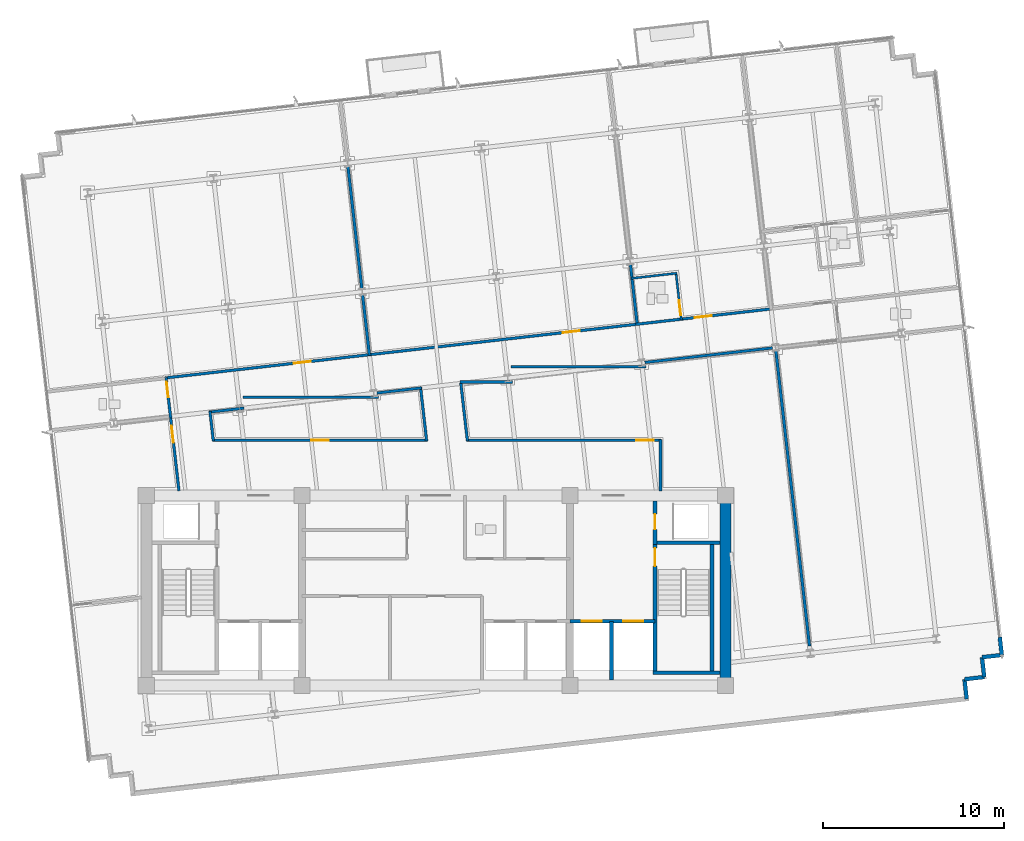
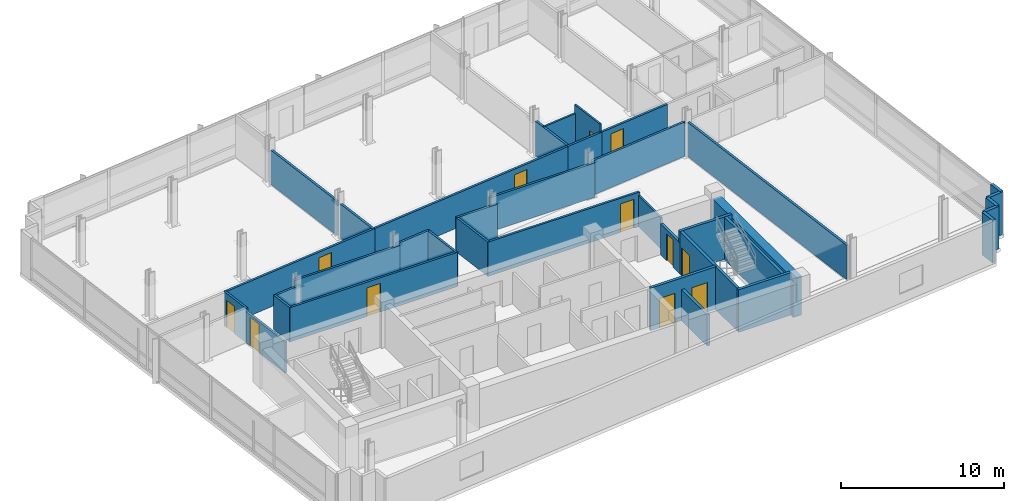
# One storey, part 9 of 16: 37 walls, 12 doors, 12 openings.
"""IFC4 building model written with IfcOpenShell, lengths in metres."""

from ifc_helpers import new_model, si_unit, direction, frame, frame_2d, origin, place, context, subcontext, project, spatial, rectangle, extrude, material, layer, layer_set, type_object, element, fill, save


model = new_model("IFC4")

# Units and contexts
model_context = context("Model", 3, precision=1e-05, world=origin(), true_north=direction((0.0, 1.0)))
body_context = subcontext(model_context, "Body", "Model", "MODEL_VIEW")
ifc_project = project(units=[si_unit("LENGTHUNIT", "METRE"), si_unit("AREAUNIT", "SQUARE_METRE"), si_unit("VOLUMEUNIT", "CUBIC_METRE"), si_unit("PLANEANGLEUNIT", "RADIAN"), si_unit("MASSUNIT", "GRAM", prefix="KILO")], contexts=[model_context])

# Site, building, storey
site_placement = place(None, origin())
site = spatial("IfcSite", under=ifc_project, at=site_placement, CompositionType="ELEMENT")
building_placement = place(site_placement, origin())
building = spatial("IfcBuilding", under=site, at=building_placement, Name="Solmavex Isthmus Hotel", CompositionType="ELEMENT")
storey_placement = place(building_placement, frame((0.0, 0.0, 233.10009765625)))
storey = spatial("IfcBuildingStorey", under=building, at=storey_placement, Name="L63", CompositionType="ELEMENT", Elevation=233.10009765625)

# Walls
ifc_material_1 = material(Name="Precast Concrete C40/50", Category="concrete")
ifc_layer_1 = layer(ifc_material_1, 0.25)
ifc_layer_set_1 = layer_set([ifc_layer_1], Name="Precast Concrete C40/50")
wall_type_1 = type_object("IfcWallType", Name="EW-TWR-250", PredefinedType="STANDARD", material=ifc_layer_set_1)
wall_1_placement = place(storey_placement, frame((31.1474609375, -10.328125, 0.0), z_axis=(0.0, 0.0, 1.0), x_axis=(0.113191877531, -0.993573147212, 0.0)))
element("IfcWall", 1, at=wall_1_placement, inside=storey, type_object=wall_type_1, Name="Serrated Corner Facade Panel L63-21", PredefinedType="STANDARD", context=body_context, shape_type="SweptSolid", body=[
    extrude(rectangle(XDim=0.989990234375, YDim=0.219970703125, at=frame_2d((0.4951171875, 0.0))), origin(), (0.0, 0.0, 1.0), 3.18994140625),
])
wall_2_placement = place(storey_placement, frame((31.259521484375, -11.311767578125, 0.0), z_axis=(0.0, 0.0, 1.0), x_axis=(-0.99357409499, -0.113183557839, 0.0)))
element("IfcWall", 2, at=wall_2_placement, inside=storey, type_object=wall_type_1, Name="Serrated Corner Facade Panel L63-22", PredefinedType="STANDARD", context=body_context, shape_type="SweptSolid", body=[
    extrude(rectangle(XDim=1.10009765625, YDim=0.219970703125, at=frame_2d((0.550048828125, 0.0))), origin(), (0.0, 0.0, 1.0), 3.18994140625),
])
wall_3_placement = place(storey_placement, frame((30.16650390625, -11.436279296875, 0.0), z_axis=(0.0, 0.0, 1.0), x_axis=(0.113427644885, -0.993546259303, 0.0)))
element("IfcWall", 3, at=wall_3_placement, inside=storey, type_object=wall_type_1, Name="Serrated Corner Facade Panel L63-23", PredefinedType="STANDARD", context=body_context, shape_type="SweptSolid", body=[
    extrude(rectangle(XDim=1.099853515625, YDim=0.219970703125, at=frame_2d((0.5498046875, 0.0))), origin(), (0.0, 0.0, 1.0), 3.18994140625),
])
for number, where, z_axis, x_axis, name in (
    (4, (30.291259765625, -12.529052734375, 0.0), (0.0, 0.0, 1.0), (-0.99357409499, -0.113183557839, 0.0), "Serrated Corner Facade Panel L63-24"),
    (5, (29.1982421875, -12.653564453125, 0.0), (0.0, 0.0, 1.0), (0.113183557839, -0.99357409499, 0.0), "Serrated Corner Facade Panel L63-25"),
):
    element("IfcWall", number, at=place(storey_placement, frame(where, z_axis=z_axis, x_axis=x_axis)), inside=storey, type_object=wall_type_1, Name=name, PredefinedType="STANDARD", context=body_context, shape_type="SweptSolid", body=[
        extrude(rectangle(XDim=1.10009765625, YDim=0.219970703125, at=frame_2d((0.550048828125, 0.0))), origin(), (0.0, 0.0, 1.0), 3.18994140625),
    ])
ifc_material_2 = material(Name="Gypsum plasterboard lining", Category="gypsum")
ifc_layer_2 = layer(ifc_material_2, 0.159912109375)
ifc_layer_set_2 = layer_set([ifc_layer_2], Name="Gypsum plasterboard lining")
wall_type_2 = type_object("IfcWallType", Name="IW-COMP-160", PredefinedType="PARTITIONING", material=ifc_layer_set_2)
wall_4_placement = place(storey_placement, frame((-4.864990234375, 15.68603515625, 0.0), z_axis=(0.0, 0.0, 1.0), x_axis=(0.11321341463, -0.993570693382, 0.0)))
element("IfcWall", 6, at=wall_4_placement, inside=storey, type_object=wall_type_2, Name="Interior Partition Wall W-L63-P023", PredefinedType="PARTITIONING", context=body_context, shape_type="SweptSolid", body=[
    extrude(rectangle(XDim=6.79931640625, YDim=0.159912109375, at=frame_2d((3.399658203125, 0.0))), origin(), (0.0, 0.0, 1.0), 2.572265625),
])
wall_5_placement = place(storey_placement, frame((-4.05517578125, 8.580078125, 0.0), z_axis=(0.0, 0.0, 1.0), x_axis=(0.113149223935, -0.993578005555, 0.0)))
element("IfcWall", 7, at=wall_5_placement, inside=storey, type_object=wall_type_2, Name="Interior Partition Wall W-L63-P024", PredefinedType="PARTITIONING", context=body_context, shape_type="SweptSolid", body=[
    extrude(rectangle(XDim=3.361572265625, YDim=0.159912109375, at=frame_2d((1.6806640625, 0.0))), origin(), (0.0, 0.0, 1.0), 2.572265625),
])
wall_6_placement = place(storey_placement, frame((10.740966796875, 10.265869140625, 0.0), z_axis=(0.0, 0.0, 1.0), x_axis=(0.113220917918, -0.993569838384, 0.0)))
element("IfcWall", 8, at=wall_6_placement, inside=storey, type_object=wall_type_2, Name="Interior Partition Wall W-L63-P028", PredefinedType="PARTITIONING", context=body_context, shape_type="SweptSolid", body=[
    extrude(rectangle(XDim=3.36181640625, YDim=0.159912109375, at=frame_2d((1.680908203125, 0.0))), origin(), (0.0, 0.0, 1.0), 2.572265625),
])
wall_7_placement = place(storey_placement, frame((18.778564453125, 5.4970703125, 0.0), z_axis=(0.0, 0.0, 1.0), x_axis=(0.113193364489, -0.993572977811, 0.0)))
element("IfcWall", 9, at=wall_7_placement, inside=storey, type_object=wall_type_2, Name="Interior Partition Wall W-L63-P047", PredefinedType="PARTITIONING", context=body_context, shape_type="SweptSolid", body=[
    extrude(rectangle(XDim=16.41357421875, YDim=0.159912109375, at=frame_2d((8.206787109375, 0.0))), origin(), (0.0, 0.0, 1.0), 2.572265625),
])

# Wall, opening, door
ifc_layer_3 = layer(ifc_material_2, 0.14990234375)
ifc_layer_set_3 = layer_set([ifc_layer_3], Name="Gypsum plasterboard lining")
wall_type_3 = type_object("IfcWallType", Name="IW-CORR-150", PredefinedType="PARTITIONING", material=ifc_layer_set_3)
wall_8_placement = place(storey_placement, frame((-14.950439453125, 3.99560546875, 0.0), z_axis=(0.0, 0.0, 1.0), x_axis=(0.993571869582, 0.113203091721, 0.0)))
wall_8 = element("IfcWall", 10, at=wall_8_placement, inside=storey, type_object=wall_type_3, Name="Interior Partition Wall W-L63-P001", PredefinedType="PARTITIONING", context=body_context, shape_type="SweptSolid", body=[
    extrude(rectangle(XDim=11.426025390625, YDim=0.14990234375, at=frame_2d((5.712890625, 0.0))), origin(), (0.0, 0.0, 1.0), 2.572265625),
])
opening_1_placement = place(wall_8_placement, frame((7.14404296875, 0.0, 0.0)))
opening_1 = element("IfcOpeningElement", 11, at=opening_1_placement, cuts=wall_8, Name="Opening ID-C095", PredefinedType="OPENING", context=body_context, shape_type="SweptSolid", body=[
    extrude(rectangle(XDim=0.949951171875, YDim=2.14990234375, at=frame_2d((0.47509765625, 1.074951171875))), frame((0.0, 0.0849609375, 0.0), z_axis=(0.0, -1.0, 0.0), x_axis=(1.0, 0.0, 0.0)), (0.0, 0.0, 1.0), 0.169921875),
])
ifc_material_3 = material(Name="Hardwood timber", Category="wood")
door_type_1 = type_object("IfcDoorType", Name="IDR-FD60-0950", OperationType="NOTDEFINED", PredefinedType="DOOR", material=ifc_material_3)
door_1_placement = place(opening_1_placement, origin())
door_1 = element("IfcDoor", 12, at=door_1_placement, inside=storey, type_object=door_type_1, Name="Corporate Briefing Office Door L63-01", OperationType="SINGLE_SWING_LEFT", OverallHeight=2.14990234375, OverallWidth=0.949951171875, PredefinedType="DOOR", context=body_context, shape_type="SweptSolid", body=[
    extrude(rectangle(XDim=0.949951171875, YDim=2.14990234375, at=frame_2d((0.47509765625, 1.074951171875))), frame((0.0, 0.02490234375, 0.0), z_axis=(0.0, -1.0, 0.0), x_axis=(1.0, 0.0, 0.0)), (0.0, 0.0, 1.0), 0.050048828125),
])
fill(opening_1, door_1)

wall_9_placement = place(storey_placement, frame((-3.7607421875, 5.2705078125, 0.0), z_axis=(0.0, 0.0, 1.0), x_axis=(0.993572177632, 0.113200387969, 0.0)))
wall_9 = element("IfcWall", 13, at=wall_9_placement, inside=storey, type_object=wall_type_3, Name="Interior Partition Wall W-L63-P002", PredefinedType="PARTITIONING", context=body_context, shape_type="SweptSolid", body=[
    extrude(rectangle(XDim=15.055908203125, YDim=0.14990234375, at=frame_2d((7.52783203125, 0.0))), origin(), (0.0, 0.0, 1.0), 2.572265625),
])
opening_2_placement = place(wall_9_placement, frame((10.826904296875, 0.0, 0.0)))
opening_2 = element("IfcOpeningElement", 14, at=opening_2_placement, cuts=wall_9, Name="Opening ID-C095", PredefinedType="OPENING", context=body_context, shape_type="SweptSolid", body=[
    extrude(rectangle(XDim=0.949951171875, YDim=2.14990234375, at=frame_2d((0.47509765625, 1.074951171875))), frame((0.0, 0.0849609375, 0.0), z_axis=(0.0, -1.0, 0.0), x_axis=(1.0, 0.0, 0.0)), (0.0, 0.0, 1.0), 0.169921875),
])
door_2_placement = place(opening_2_placement, origin())
door_2 = element("IfcDoor", 15, at=door_2_placement, inside=storey, type_object=door_type_1, Name="Corporate Briefing Office Door L63-02", OperationType="SINGLE_SWING_RIGHT", OverallHeight=2.14990234375, OverallWidth=0.949951171875, PredefinedType="DOOR", context=body_context, shape_type="SweptSolid", body=[
    extrude(rectangle(XDim=0.949951171875, YDim=2.14990234375, at=frame_2d((0.47509765625, 1.074951171875))), frame((0.0, 0.02490234375, 0.0), z_axis=(0.0, -1.0, 0.0), x_axis=(1.0, 0.0, 0.0)), (0.0, 0.0, 1.0), 0.050048828125),
])
fill(opening_2, door_2)

wall_10_placement = place(storey_placement, frame((13.4697265625, 7.233642578125, 0.0), z_axis=(0.0, 0.0, 1.0), x_axis=(0.993569981158, 0.113219664996, 0.0)))
wall_10 = element("IfcWall", 16, at=wall_10_placement, inside=storey, type_object=wall_type_3, Name="Interior Partition Wall W-L63-P003", PredefinedType="PARTITIONING", context=body_context, shape_type="SweptSolid", body=[
    extrude(rectangle(XDim=5.16015625, YDim=0.14990234375, at=frame_2d((2.580078125, 0.0))), origin(), (0.0, 0.0, 1.0), 2.572265625),
])
opening_3_placement = place(wall_10_placement, frame((0.82470703125, 0.0, 0.0)))
opening_3 = element("IfcOpeningElement", 17, at=opening_3_placement, cuts=wall_10, Name="Opening ID-C095", PredefinedType="OPENING", context=body_context, shape_type="SweptSolid", body=[
    extrude(rectangle(XDim=0.949951171875, YDim=2.14990234375, at=frame_2d((0.47509765625, 1.074951171875))), frame((0.0, 0.0849609375, 0.0), z_axis=(0.0, -1.0, 0.0), x_axis=(1.0, 0.0, 0.0)), (0.0, 0.0, 1.0), 0.169921875),
])
door_3_placement = place(opening_3_placement, origin())
door_3 = element("IfcDoor", 18, at=door_3_placement, inside=storey, type_object=door_type_1, Name="Diplomatic Suite Door L63-03", OperationType="SINGLE_SWING_LEFT", OverallHeight=2.14990234375, OverallWidth=0.949951171875, PredefinedType="DOOR", context=body_context, shape_type="SweptSolid", body=[
    extrude(rectangle(XDim=0.949951171875, YDim=2.14990234375, at=frame_2d((0.47509765625, 1.074951171875))), frame((0.0, 0.02490234375, 0.0), z_axis=(0.0, -1.0, 0.0), x_axis=(1.0, 0.0, 0.0)), (0.0, 0.0, 1.0), 0.050048828125),
])
fill(opening_3, door_3)

# Wall
wall_11_placement = place(storey_placement, frame((11.03564453125, 6.956298828125, 0.0), z_axis=(0.0, 0.0, 1.0), x_axis=(0.993572349416, 0.113198880193, 0.0)))
element("IfcWall", 19, at=wall_11_placement, inside=storey, type_object=wall_type_3, Name="Interior Partition Wall W-L63-P004", PredefinedType="PARTITIONING", context=body_context, shape_type="SweptSolid", body=[
    extrude(rectangle(XDim=2.614013671875, YDim=0.14990234375, at=frame_2d((1.30712890625, 0.0))), origin(), (0.0, 0.0, 1.0), 2.572265625),
])

# Wall, opening, door
wall_12_placement = place(storey_placement, frame((-14.657958984375, 1.782470703125, 0.0), z_axis=(0.0, 0.0, 1.0), x_axis=(-0.113179685294, 0.993574536125, 0.0)))
wall_12 = element("IfcWall", 20, at=wall_12_placement, inside=storey, type_object=wall_type_3, Name="Interior Partition Wall W-L63-P006", PredefinedType="PARTITIONING", context=body_context, shape_type="SweptSolid", body=[
    extrude(rectangle(XDim=2.251953125, YDim=0.14990234375, at=frame_2d((1.1259765625, 0.0))), origin(), (0.0, 0.0, 1.0), 2.572265625),
])
opening_4_placement = place(wall_12_placement, frame((1.156982421875, 0.0, 0.0)))
opening_4 = element("IfcOpeningElement", 21, at=opening_4_placement, cuts=wall_12, Name="Opening ID-R085", PredefinedType="OPENING", context=body_context, shape_type="SweptSolid", body=[
    extrude(rectangle(XDim=0.85009765625, YDim=2.050048828125, at=frame_2d((0.425048828125, 1.02490234375))), frame((0.0, 0.0849609375, 0.0), z_axis=(0.0, -1.0, 0.0), x_axis=(1.0, 0.0, 0.0)), (0.0, 0.0, 1.0), 0.169921875),
])
ifc_material_4 = material(Name="Steel ASTM A500 Grade C", Category="steel")
door_type_2 = type_object("IfcDoorType", Name="IDR-FD60-0850", OperationType="NOTDEFINED", PredefinedType="DOOR", material=ifc_material_4)
door_4_placement = place(opening_4_placement, frame((0.85009765625, 0.0, 0.0), z_axis=(0.0, 0.0, 1.0), x_axis=(-1.0, 0.0, 0.0)))
door_4 = element("IfcDoor", 22, at=door_4_placement, inside=storey, type_object=door_type_2, Name="Accessible Public Restroom WC Door L63-09", OperationType="SINGLE_SWING_LEFT", OverallHeight=2.050048828125, OverallWidth=0.85009765625, PredefinedType="DOOR", context=body_context, shape_type="SweptSolid", body=[
    extrude(rectangle(XDim=0.85009765625, YDim=2.050048828125, at=frame_2d((0.425048828125, 1.02490234375))), frame((0.0, 0.02490234375, 0.0), z_axis=(0.0, -1.0, 0.0), x_axis=(1.0, 0.0, 0.0)), (0.0, 0.0, 1.0), 0.050048828125),
])
fill(opening_4, door_4)

# Walls
wall_13_placement = place(storey_placement, frame((-10.6064453125, 2.32666015625, 0.0), z_axis=(0.0, 0.0, 1.0), x_axis=(-0.993564486687, -0.113267871856, 0.0)))
element("IfcWall", 23, at=wall_13_placement, inside=storey, type_object=wall_type_3, Name="Interior Partition Wall W-L63-P008", PredefinedType="PARTITIONING", context=body_context, shape_type="SweptSolid", body=[
    extrude(rectangle(XDim=1.927001953125, YDim=0.14990234375, at=frame_2d((0.96337890625, 0.0))), origin(), (0.0, 0.0, 1.0), 2.572265625),
])
wall_14_placement = place(storey_placement, frame((-12.48583984375, 2.15283203125, 0.0), z_axis=(0.0, 0.0, 1.0), x_axis=(0.113121752139, -0.993581133674, 0.0)))
element("IfcWall", 24, at=wall_14_placement, inside=storey, type_object=wall_type_3, Name="Interior Partition Wall W-L63-P009", PredefinedType="PARTITIONING", context=body_context, shape_type="SweptSolid", body=[
    extrude(rectangle(XDim=1.653076171875, YDim=0.14990234375, at=frame_2d((0.82666015625, 0.0))), origin(), (0.0, 0.0, 1.0), 2.572265625),
])

# Wall, opening, door
wall_15_placement = place(storey_placement, frame((-12.34326171875, 0.550048828125, 0.0), z_axis=(0.0, 0.0, 1.0), x_axis=(1.0, 0.0, 0.0)))
wall_15 = element("IfcWall", 25, at=wall_15_placement, inside=storey, type_object=wall_type_3, Name="Interior Partition Wall W-L63-P010", PredefinedType="PARTITIONING", context=body_context, shape_type="SweptSolid", body=[
    extrude(rectangle(XDim=11.86279296875, YDim=0.14990234375, at=frame_2d((5.931396484375, 0.0))), origin(), (0.0, 0.0, 1.0), 2.572265625),
])
opening_5_placement = place(wall_15_placement, frame((5.456298828125, 0.0, 0.0)))
opening_5 = element("IfcOpeningElement", 26, at=opening_5_placement, cuts=wall_15, Name="Opening ID-C095", PredefinedType="OPENING", context=body_context, shape_type="SweptSolid", body=[
    extrude(rectangle(XDim=0.949951171875, YDim=2.14990234375, at=frame_2d((0.47509765625, 1.074951171875))), frame((0.0, 0.0849609375, 0.0), z_axis=(0.0, -1.0, 0.0), x_axis=(1.0, 0.0, 0.0)), (0.0, 0.0, 1.0), 0.169921875),
])
door_5_placement = place(opening_5_placement, origin())
door_5 = element("IfcDoor", 27, at=door_5_placement, inside=storey, type_object=door_type_1, Name="Wellness Treatment Room Door L63-11", OperationType="SINGLE_SWING_LEFT", OverallHeight=2.14990234375, OverallWidth=0.949951171875, PredefinedType="DOOR", context=body_context, shape_type="SweptSolid", body=[
    extrude(rectangle(XDim=0.949951171875, YDim=2.14990234375, at=frame_2d((0.47509765625, 1.074951171875))), frame((0.0, 0.02490234375, 0.0), z_axis=(0.0, -1.0, 0.0), x_axis=(1.0, 0.0, 0.0)), (0.0, 0.0, 1.0), 0.050048828125),
])
fill(opening_5, door_5)

# Walls
wall_16_placement = place(storey_placement, frame((-0.515869140625, 0.51025390625, 0.0), z_axis=(0.0, 0.0, 1.0), x_axis=(-0.113283799092, 0.993562670828, 0.0)))
element("IfcWall", 28, at=wall_16_placement, inside=storey, type_object=wall_type_3, Name="Interior Partition Wall W-L63-P011", PredefinedType="PARTITIONING", context=body_context, shape_type="SweptSolid", body=[
    extrude(rectangle(XDim=2.987060546875, YDim=0.14990234375, at=frame_2d((1.49365234375, 0.0))), origin(), (0.0, 0.0, 1.0), 2.572265625),
])
wall_17_placement = place(storey_placement, frame((-0.809814453125, 3.44287109375, 0.0), z_axis=(0.0, 0.0, 1.0), x_axis=(-0.993568355418, -0.113233930922, 0.0)))
element("IfcWall", 29, at=wall_17_placement, inside=storey, type_object=wall_type_3, Name="Interior Partition Wall W-L63-P012", PredefinedType="PARTITIONING", context=body_context, shape_type="SweptSolid", body=[
    extrude(rectangle(XDim=2.466552734375, YDim=0.14990234375, at=frame_2d((1.2333984375, 0.0))), origin(), (0.0, 0.0, 1.0), 2.572265625),
])
wall_18_placement = place(storey_placement, frame((-3.180908203125, 2.9287109375, 0.0), z_axis=(0.0, 0.0, 1.0), x_axis=(-1.0, 0.0, 0.0)))
element("IfcWall", 30, at=wall_18_placement, inside=storey, type_object=wall_type_3, Name="Interior Partition Wall W-L63-P013", PredefinedType="PARTITIONING", context=body_context, shape_type="SweptSolid", body=[
    extrude(rectangle(XDim=7.477783203125, YDim=0.14990234375, at=frame_2d((3.73876953125, 0.0))), origin(), (0.0, 0.0, 1.0), 2.572265625),
])

# Wall, opening, door
wall_19_placement = place(storey_placement, frame((-14.19970703125, -2.23974609375, 0.0), z_axis=(0.0, 0.0, 1.0), x_axis=(-0.11319839611, 0.993572404568, 0.0)))
wall_19 = element("IfcWall", 31, at=wall_19_placement, inside=storey, type_object=wall_type_3, Name="Interior Partition Wall W-L63-P014", PredefinedType="PARTITIONING", context=body_context, shape_type="SweptSolid", body=[
    extrude(rectangle(XDim=4.212158203125, YDim=0.14990234375, at=frame_2d((2.10595703125, 0.0))), origin(), (0.0, 0.0, 1.0), 2.324951171875),
])
opening_6_placement = place(wall_19_placement, frame((2.67236328125, 0.0, 0.0)))
opening_6 = element("IfcOpeningElement", 32, at=opening_6_placement, cuts=wall_19, Name="Opening ID-C095", PredefinedType="OPENING", context=body_context, shape_type="SweptSolid", body=[
    extrude(rectangle(XDim=0.949951171875, YDim=2.14990234375, at=frame_2d((0.47509765625, 1.074951171875))), frame((0.0, 0.0849609375, 0.0), z_axis=(0.0, -1.0, 0.0), x_axis=(1.0, 0.0, 0.0)), (0.0, 0.0, 1.0), 0.169921875),
])
door_6_placement = place(opening_6_placement, frame((0.949951171875, 0.0, 0.0), z_axis=(0.0, 0.0, 1.0), x_axis=(-1.0, 0.0, 0.0)))
door_6 = element("IfcDoor", 33, at=door_6_placement, inside=storey, type_object=door_type_1, Name="Executive Meeting Room Door L63-12", OperationType="SINGLE_SWING_RIGHT", OverallHeight=2.14990234375, OverallWidth=0.949951171875, PredefinedType="DOOR", context=body_context, shape_type="SweptSolid", body=[
    extrude(rectangle(XDim=0.949951171875, YDim=2.14990234375, at=frame_2d((0.47509765625, 1.074951171875))), frame((0.0, 0.02490234375, 0.0), z_axis=(0.0, -1.0, 0.0), x_axis=(1.0, 0.0, 0.0)), (0.0, 0.0, 1.0), 0.050048828125),
])
fill(opening_6, door_6)

# Walls
wall_20_placement = place(storey_placement, frame((18.583251953125, 5.65234375, 0.0), z_axis=(0.0, 0.0, 1.0), x_axis=(-0.993571775172, -0.113203920343, 0.0)))
element("IfcWall", 34, at=wall_20_placement, inside=storey, type_object=wall_type_3, Name="Interior Partition Wall W-L63-P015", PredefinedType="PARTITIONING", context=body_context, shape_type="SweptSolid", body=[
    extrude(rectangle(XDim=7.09326171875, YDim=0.14990234375, at=frame_2d((3.546630859375, 0.0))), origin(), (0.0, 0.0, 1.0), 2.572265625),
])
wall_21_placement = place(storey_placement, frame((11.615478515625, 4.614501953125, 0.0), z_axis=(0.0, 0.0, 1.0), x_axis=(-1.0, 0.0, 0.0)))
element("IfcWall", 35, at=wall_21_placement, inside=storey, type_object=wall_type_3, Name="Interior Partition Wall W-L63-P016", PredefinedType="PARTITIONING", context=body_context, shape_type="SweptSolid", body=[
    extrude(rectangle(XDim=7.47802734375, YDim=0.14990234375, at=frame_2d((3.739013671875, 0.0))), origin(), (0.0, 0.0, 1.0), 2.572265625),
])
wall_22_placement = place(storey_placement, frame((4.21728515625, 3.771484375, 0.0), z_axis=(0.0, 0.0, 1.0), x_axis=(-1.0, 0.0, 0.0)))
element("IfcWall", 36, at=wall_22_placement, inside=storey, type_object=wall_type_3, Name="Interior Partition Wall W-L63-P017", PredefinedType="PARTITIONING", context=body_context, shape_type="SweptSolid", body=[
    extrude(rectangle(XDim=2.881103515625, YDim=0.14990234375, at=frame_2d((1.4404296875, 0.0))), origin(), (0.0, 0.0, 1.0), 2.572265625),
])
wall_23_placement = place(storey_placement, frame((1.37158203125, 3.731689453125, 0.0), z_axis=(0.0, 0.0, 1.0), x_axis=(0.113174940517, -0.993575076599, 0.0)))
element("IfcWall", 37, at=wall_23_placement, inside=storey, type_object=wall_type_3, Name="Interior Partition Wall W-L63-P018", PredefinedType="PARTITIONING", context=body_context, shape_type="SweptSolid", body=[
    extrude(rectangle(XDim=3.2421875, YDim=0.14990234375, at=frame_2d((1.62109375, 0.0))), origin(), (0.0, 0.0, 1.0), 2.572265625),
])

# Wall, opening, door
wall_24_placement = place(storey_placement, frame((1.694091796875, 0.550048828125, 0.0), z_axis=(0.0, 0.0, 1.0), x_axis=(1.0, 0.0, 0.0)))
wall_24 = element("IfcWall", 38, at=wall_24_placement, inside=storey, type_object=wall_type_3, Name="Interior Partition Wall W-L63-P019", PredefinedType="PARTITIONING", context=body_context, shape_type="SweptSolid", body=[
    extrude(rectangle(XDim=10.745849609375, YDim=0.14990234375, at=frame_2d((5.373046875, 0.0))), origin(), (0.0, 0.0, 1.0), 2.572265625),
])
opening_7_placement = place(wall_24_placement, frame((9.377685546875, 0.0, 0.0)))
opening_7 = element("IfcOpeningElement", 39, at=opening_7_placement, cuts=wall_24, Name="Opening ID-C095", PredefinedType="OPENING", context=body_context, shape_type="SweptSolid", body=[
    extrude(rectangle(XDim=0.949951171875, YDim=2.14990234375, at=frame_2d((0.47509765625, 1.074951171875))), frame((0.0, 0.0849609375, 0.0), z_axis=(0.0, -1.0, 0.0), x_axis=(1.0, 0.0, 0.0)), (0.0, 0.0, 1.0), 0.169921875),
])
door_7_placement = place(opening_7_placement, frame((0.949951171875, 0.0, 0.0), z_axis=(0.0, 0.0, 1.0), x_axis=(-1.0, 0.0, 0.0)))
door_7 = element("IfcDoor", 40, at=door_7_placement, inside=storey, type_object=door_type_1, Name="Wellness Hydrotherapy Lounge Door L63-14", OperationType="SINGLE_SWING_RIGHT", OverallHeight=2.14990234375, OverallWidth=0.949951171875, PredefinedType="DOOR", context=body_context, shape_type="SweptSolid", body=[
    extrude(rectangle(XDim=0.949951171875, YDim=2.14990234375, at=frame_2d((0.47509765625, 1.074951171875))), frame((0.0, 0.02490234375, 0.0), z_axis=(0.0, -1.0, 0.0), x_axis=(1.0, 0.0, 0.0)), (0.0, 0.0, 1.0), 0.050048828125),
])
fill(opening_7, door_7)

# Wall
wall_25_placement = place(storey_placement, frame((12.39990234375, 0.590087890625, 0.0), z_axis=(0.0, 0.0, 1.0), x_axis=(0.0, -1.0, 0.0)))
element("IfcWall", 41, at=wall_25_placement, inside=storey, type_object=wall_type_3, Name="Interior Partition Wall W-L63-P020", PredefinedType="PARTITIONING", context=body_context, shape_type="SweptSolid", body=[
    extrude(rectangle(XDim=2.830078125, YDim=0.14990234375, at=frame_2d((1.4150390625, 0.0))), origin(), (0.0, 0.0, 1.0), 2.324951171875),
])

# Wall, opening, door
ifc_layer_4 = layer(ifc_material_2, 0.1201171875)
ifc_layer_set_4 = layer_set([ifc_layer_4], Name="Gypsum plasterboard lining")
wall_type_4 = type_object("IfcWallType", Name="IW-PART-120", PredefinedType="PARTITIONING", material=ifc_layer_set_4)
wall_26_placement = place(storey_placement, frame((13.555908203125, 7.203125, 0.0), z_axis=(0.0, 0.0, 1.0), x_axis=(-0.113242913364, 0.993567331676, 0.0)))
wall_26 = element("IfcWall", 42, at=wall_26_placement, inside=storey, type_object=wall_type_4, Name="Interior Partition Wall W-L63-P029", PredefinedType="PARTITIONING", context=body_context, shape_type="SweptSolid", body=[
    extrude(rectangle(XDim=2.630126953125, YDim=0.1201171875, at=frame_2d((1.31494140625, 0.0))), origin(), (0.0, 0.0, 1.0), 3.18994140625),
])
opening_8_placement = place(wall_26_placement, frame((0.247314453125, 0.0, 0.0)))
opening_8 = element("IfcOpeningElement", 43, at=opening_8_placement, cuts=wall_26, Name="Opening ID-U085", PredefinedType="OPENING", context=body_context, shape_type="SweptSolid", body=[
    extrude(rectangle(XDim=0.85009765625, YDim=2.10009765625, at=frame_2d((0.425048828125, 1.050048828125))), frame((0.0, 0.070068359375, 0.0), z_axis=(0.0, -1.0, 0.0), x_axis=(1.0, 0.0, 0.0)), (0.0, 0.0, 1.0), 0.14013671875),
])
door_type_3 = type_object("IfcDoorType", Name="IDR-UNR-0850", OperationType="NOTDEFINED", PredefinedType="DOOR", material=ifc_material_3)
door_8_placement = place(opening_8_placement, frame((0.85009765625, 0.0, 0.0), z_axis=(0.0, 0.0, 1.0), x_axis=(-1.0, 0.0, 0.0)))
door_8 = element("IfcDoor", 44, at=door_8_placement, inside=storey, type_object=door_type_3, Name="En-suite Bathroom Door L63-04", OperationType="SINGLE_SWING_RIGHT", OverallHeight=2.10009765625, OverallWidth=0.85009765625, PredefinedType="DOOR", context=body_context, shape_type="SweptSolid", body=[
    extrude(rectangle(XDim=0.85009765625, YDim=2.10009765625, at=frame_2d((0.425048828125, 1.050048828125))), frame((0.0, 0.02490234375, 0.0), z_axis=(0.0, -1.0, 0.0), x_axis=(1.0, 0.0, 0.0)), (0.0, 0.0, 1.0), 0.050048828125),
])
fill(opening_8, door_8)

# Wall
wall_27_placement = place(storey_placement, frame((13.30224609375, 9.781005859375, 0.0), z_axis=(0.0, 0.0, 1.0), x_axis=(-0.99357273507, -0.113195495167, 0.0)))
element("IfcWall", 45, at=wall_27_placement, inside=storey, type_object=wall_type_4, Name="Interior Partition Wall W-L63-P030", PredefinedType="PARTITIONING", context=body_context, shape_type="SweptSolid", body=[
    extrude(rectangle(XDim=2.530029296875, YDim=0.1201171875, at=frame_2d((1.26513671875, 0.0))), origin(), (0.0, 0.0, 1.0), 2.572265625),
])

# Wall, opening, door
ifc_material_5 = material(Name="Concrete C40/50", Category="concrete")
ifc_layer_5 = layer(ifc_material_5, 0.199951171875)
ifc_layer_set_5 = layer_set([ifc_layer_5], Name="Concrete C40/50")
wall_type_5 = type_object("IfcWallType", Name="IW-SHAFT-200", PredefinedType="PARTITIONING", material=ifc_layer_set_5)
wall_28_placement = place(storey_placement, frame((12.10009765625, -5.199951171875, 0.0), z_axis=(0.0, 0.0, 1.0), x_axis=(0.0, 1.0, 0.0)))
wall_28 = element("IfcWall", 46, at=wall_28_placement, inside=storey, type_object=wall_type_5, Name="Interior Partition Wall W-L63-RSE-W", PredefinedType="PARTITIONING", context=body_context, shape_type="SweptSolid", body=[
    extrude(rectangle(XDim=2.39990234375, YDim=0.199951171875, at=frame_2d((1.199951171875, 0.0))), origin(), (0.0, 0.0, 1.0), 2.324951171875),
])
opening_9_placement = place(wall_28_placement, frame((0.824951171875, 0.0, 0.0)))
opening_9 = element("IfcOpeningElement", 47, at=opening_9_placement, cuts=wall_28, Name="Opening ID-R085", PredefinedType="OPENING", context=body_context, shape_type="SweptSolid", body=[
    extrude(rectangle(XDim=0.85009765625, YDim=2.050048828125, at=frame_2d((0.425048828125, 1.02490234375))), frame((0.0, 0.10986328125, 0.0), z_axis=(0.0, -1.0, 0.0), x_axis=(1.0, 0.0, 0.0)), (0.0, 0.0, 1.0), 0.219970703125),
])
door_9_placement = place(opening_9_placement, frame((0.85009765625, 0.0, 0.0), z_axis=(0.0, 0.0, 1.0), x_axis=(-1.0, 0.0, 0.0)))
door_9 = element("IfcDoor", 48, at=door_9_placement, inside=storey, type_object=door_type_2, Name="Mechanical Riser Door L63", OperationType="SINGLE_SWING_LEFT", OverallHeight=2.050048828125, OverallWidth=0.85009765625, PredefinedType="DOOR", context=body_context, shape_type="SweptSolid", body=[
    extrude(rectangle(XDim=0.85009765625, YDim=2.050048828125, at=frame_2d((0.425048828125, 1.02490234375))), frame((0.0, 0.02490234375, 0.0), z_axis=(0.0, -1.0, 0.0), x_axis=(1.0, 0.0, 0.0)), (0.0, 0.0, 1.0), 0.050048828125),
])
fill(opening_9, door_9)

# Wall, openings, doors
wall_29_placement = place(storey_placement, frame((7.39990234375, -9.449951171875, 0.0), z_axis=(0.0, 0.0, 1.0), x_axis=(1.0, 0.0, 0.0)))
wall_29 = element("IfcWall", 49, at=wall_29_placement, inside=storey, type_object=wall_type_5, Name="Interior Partition Wall W-L63-FFLE-S", PredefinedType="PARTITIONING", context=body_context, shape_type="SweptSolid", body=[
    extrude(rectangle(XDim=4.7001953125, YDim=0.199951171875, at=frame_2d((2.35009765625, 0.0))), origin(), (0.0, 0.0, 1.0), 3.18994140625),
])
opening_10_placement = place(wall_29_placement, frame((2.949951171875, 0.0, 0.0)))
opening_10 = element("IfcOpeningElement", 50, at=opening_10_placement, cuts=wall_29, Name="Opening LD-FF", PredefinedType="OPENING", context=body_context, shape_type="SweptSolid", body=[
    extrude(rectangle(XDim=1.10009765625, YDim=2.199951171875, at=frame_2d((0.550048828125, 1.10009765625))), frame((0.0, 0.10986328125, 0.0), z_axis=(0.0, -1.0, 0.0), x_axis=(1.0, 0.0, 0.0)), (0.0, 0.0, 1.0), 0.219970703125),
])
opening_11_placement = place(wall_29_placement, frame((0.64990234375, 0.0, 0.0)))
opening_11 = element("IfcOpeningElement", 51, at=opening_11_placement, cuts=wall_29, Name="Opening LD-SV", PredefinedType="OPENING", context=body_context, shape_type="SweptSolid", body=[
    extrude(rectangle(XDim=1.10009765625, YDim=2.199951171875, at=frame_2d((0.550048828125, 1.10009765625))), frame((0.0, 0.10986328125, 0.0), z_axis=(0.0, -1.0, 0.0), x_axis=(1.0, 0.0, 0.0)), (0.0, 0.0, 1.0), 0.219970703125),
])
ifc_material_6 = material(Name="Stainless steel 316", Category="steel")
door_type_4 = type_object("IfcDoorType", Name="LDR-FF-1100", OperationType="NOTDEFINED", PredefinedType="DOOR", material=ifc_material_6)
door_10_placement = place(opening_10_placement, origin())
door_10 = element("IfcDoor", 52, at=door_10_placement, inside=storey, type_object=door_type_4, Name="Lift Landing Door FFL-2 L63", OperationType="SLIDING_TO_LEFT", OverallHeight=2.199951171875, OverallWidth=1.10009765625, PredefinedType="DOOR", context=body_context, shape_type="SweptSolid", body=[
    extrude(rectangle(XDim=1.10009765625, YDim=2.199951171875, at=frame_2d((0.550048828125, 1.10009765625))), frame((0.0, 0.02490234375, 0.0), z_axis=(0.0, -1.0, 0.0), x_axis=(1.0, 0.0, 0.0)), (0.0, 0.0, 1.0), 0.050048828125),
])
fill(opening_10, door_10)
door_type_5 = type_object("IfcDoorType", Name="LDR-SV-1100", OperationType="NOTDEFINED", PredefinedType="DOOR", material=ifc_material_6)
door_11_placement = place(opening_11_placement, origin())
door_11 = element("IfcDoor", 53, at=door_11_placement, inside=storey, type_object=door_type_5, Name="Lift Landing Door SVL-2 L63", OperationType="SLIDING_TO_RIGHT", OverallHeight=2.199951171875, OverallWidth=1.10009765625, PredefinedType="DOOR", context=body_context, shape_type="SweptSolid", body=[
    extrude(rectangle(XDim=1.10009765625, YDim=2.199951171875, at=frame_2d((0.550048828125, 1.10009765625))), frame((0.0, 0.02490234375, 0.0), z_axis=(0.0, -1.0, 0.0), x_axis=(1.0, 0.0, 0.0)), (0.0, 0.0, 1.0), 0.050048828125),
])
fill(opening_11, door_11)

# Walls
wall_30_placement = place(storey_placement, frame((9.699951171875, -12.699951171875, 0.0), z_axis=(0.0, 0.0, 1.0), x_axis=(0.0, 1.0, 0.0)))
element("IfcWall", 54, at=wall_30_placement, inside=storey, type_object=wall_type_5, Name="Interior Partition Wall W-L63-FFLE-M", PredefinedType="PARTITIONING", context=body_context, shape_type="SweptSolid", body=[
    extrude(rectangle(XDim=3.25, YDim=0.199951171875, at=frame_2d((1.625, 0.0))), origin(), (0.0, 0.0, 1.0), 2.324951171875),
])
ifc_material_7 = material(Name="Concrete C50/60", Category="concrete")
ifc_layer_6 = layer(ifc_material_7, 0.60009765625)
ifc_layer_set_6 = layer_set([ifc_layer_6], Name="Concrete C50/60")
wall_type_6 = type_object("IfcWallType", Name="WALL-CW-600", PredefinedType="SHEAR", material=ifc_layer_set_6)
wall_31_placement = place(storey_placement, frame((16.0, -12.699951171875, 0.0), z_axis=(0.0, 0.0, 1.0), x_axis=(0.0, 1.0, 0.0)))
element("IfcWall", 55, at=wall_31_placement, inside=storey, type_object=wall_type_6, Name="Core Shear Wall East L63", PredefinedType="SHEAR", context=body_context, shape_type="SweptSolid", body=[
    extrude(rectangle(XDim=9.89990234375, YDim=0.60009765625, at=frame_2d((4.949951171875, 0.0))), origin(), (0.0, 0.0, 1.0), 2.909912109375),
])
ifc_layer_7 = layer(ifc_material_5, 0.199951171875)
ifc_layer_set_7 = layer_set([ifc_layer_7], Name="Concrete C40/50")
wall_type_7 = type_object("IfcWallType", Name="WALL-SW-200", PredefinedType="SOLIDWALL", material=ifc_layer_set_7)
for number, where, z_axis, x_axis, name in (
    (56, (12.0, -12.300048828125, 0.0), (0.0, 0.0, 1.0), (1.0, 0.0, 0.0), "Stairwell Structural Wall SW-L63-ST2-S"),
    (57, (12.0, -5.10009765625, 0.0), (0.0, 0.0, 1.0), (1.0, 0.0, 0.0), "Stairwell Structural Wall SW-L63-ST2-N"),
):
    element("IfcWall", number, at=place(storey_placement, frame(where, z_axis=z_axis, x_axis=x_axis)), inside=storey, type_object=wall_type_7, Name=name, PredefinedType="SOLIDWALL", context=body_context, shape_type="SweptSolid", body=[
        extrude(rectangle(XDim=3.699951171875, YDim=0.199951171875, at=frame_2d((1.85009765625, 0.0))), origin(), (0.0, 0.0, 1.0), 3.18994140625),
    ])

# Wall, opening, door
wall_32_placement = place(storey_placement, frame((12.10009765625, -12.199951171875, 0.0), z_axis=(0.0, 0.0, 1.0), x_axis=(0.0, 1.0, 0.0)))
wall_32 = element("IfcWall", 58, at=wall_32_placement, inside=storey, type_object=wall_type_7, Name="Stairwell Structural Wall SW-L63-ST2-W", PredefinedType="SOLIDWALL", context=body_context, shape_type="SweptSolid", body=[
    extrude(rectangle(XDim=7.0, YDim=0.199951171875, at=frame_2d((3.5, 0.0))), origin(), (0.0, 0.0, 1.0), 3.18994140625),
])
opening_12_placement = place(wall_32_placement, frame((5.800048828125, 0.0, 0.0)))
opening_12 = element("IfcOpeningElement", 59, at=opening_12_placement, cuts=wall_32, Name="Opening ID-F100", PredefinedType="OPENING", context=body_context, shape_type="SweptSolid", body=[
    extrude(rectangle(XDim=1.0, YDim=2.10009765625, at=frame_2d((0.5, 1.050048828125))), frame((0.0, 0.10986328125, 0.0), z_axis=(0.0, -1.0, 0.0), x_axis=(1.0, 0.0, 0.0)), (0.0, 0.0, 1.0), 0.219970703125),
])
door_type_6 = type_object("IfcDoorType", Name="IDR-FD90-1000", OperationType="NOTDEFINED", PredefinedType="DOOR", material=ifc_material_4)
door_12_placement = place(opening_12_placement, origin())
door_12 = element("IfcDoor", 60, at=door_12_placement, inside=storey, type_object=door_type_6, Name="Stair ST-2 Fire Door L63", OperationType="SINGLE_SWING_RIGHT", OverallHeight=2.10009765625, OverallWidth=1.0, PredefinedType="DOOR", context=body_context, shape_type="SweptSolid", body=[
    extrude(rectangle(XDim=1.0, YDim=2.10009765625, at=frame_2d((0.5, 1.050048828125))), frame((0.0, 0.02490234375, 0.0), z_axis=(0.0, -1.0, 0.0), x_axis=(1.0, 0.0, 0.0)), (0.0, 0.0, 1.0), 0.050048828125),
])
fill(opening_12, door_12)

# Wall
wall_33_placement = place(storey_placement, frame((15.25, -12.199951171875, 0.0), z_axis=(0.0, 0.0, 1.0), x_axis=(0.0, 1.0, 0.0)))
element("IfcWall", 61, at=wall_33_placement, inside=storey, type_object=wall_type_7, Name="Stairwell Structural Wall SW-L63-ST2-E", PredefinedType="SOLIDWALL", context=body_context, shape_type="SweptSolid", body=[
    extrude(rectangle(XDim=7.0, YDim=0.199951171875, at=frame_2d((3.5, 0.0))), origin(), (0.0, 0.0, 1.0), 3.18994140625),
])

save(model, "model.ifc")
